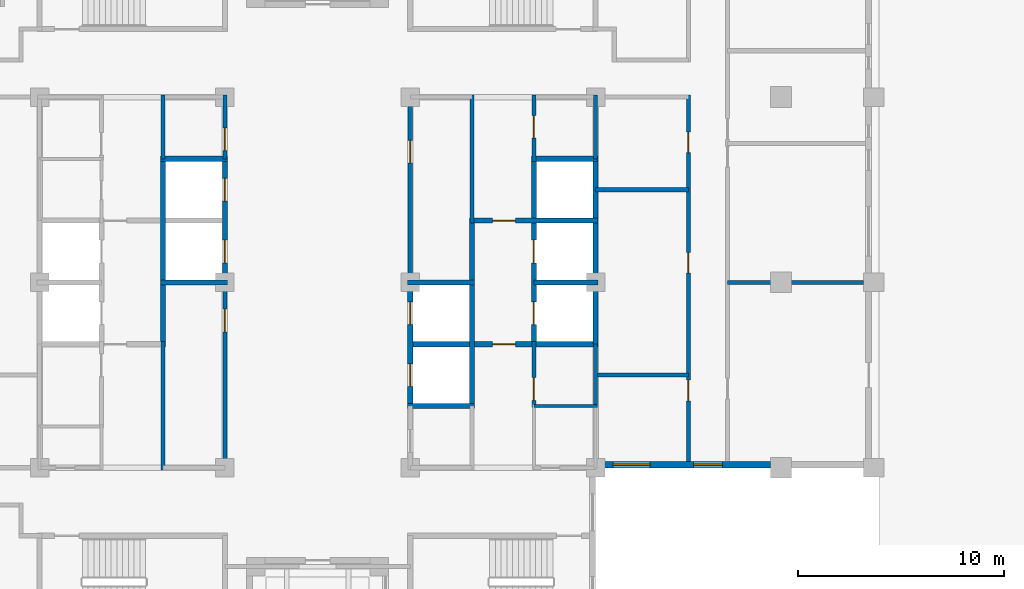
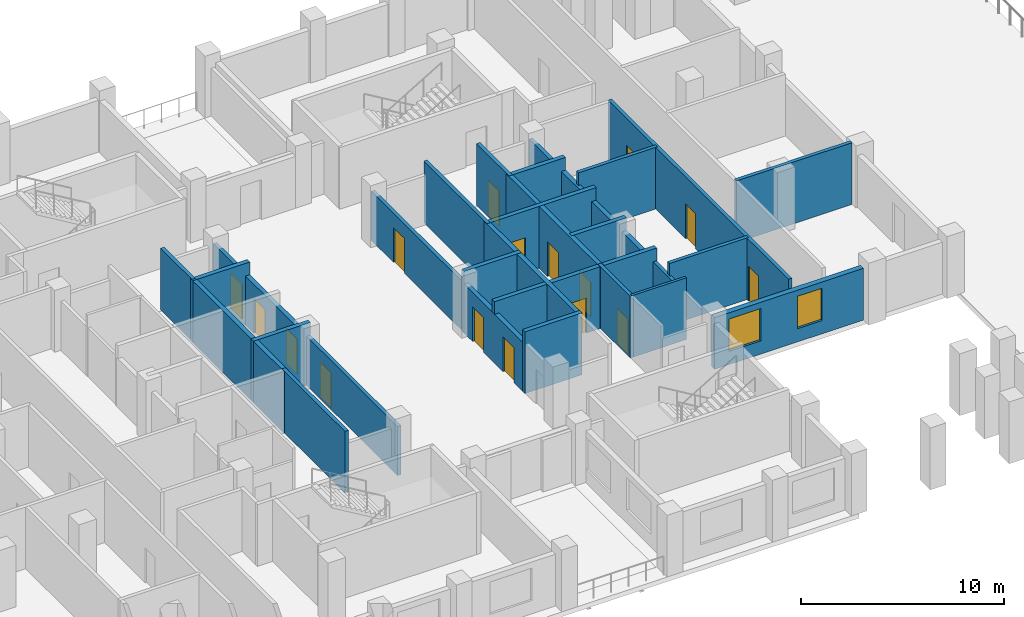
# One storey, part 5 of 12: 30 walls, 16 doors, 2 windows, 18 openings.
"""IFC4 building model written with IfcOpenShell, lengths in metres."""

from ifc_helpers import new_model, si_unit, direction, frame, frame_2d, origin, place, context, subcontext, project, spatial, rectangle, extrude, material, layer, layer_set, type_object, element, fill, save


model = new_model("IFC4")

# Units and contexts
model_context = context("Model", 3, precision=1e-05, world=origin(), true_north=direction((0.0, 1.0)))
body_context = subcontext(model_context, "Body", "Model", "MODEL_VIEW")
ifc_project = project(units=[si_unit("LENGTHUNIT", "METRE"), si_unit("AREAUNIT", "SQUARE_METRE"), si_unit("VOLUMEUNIT", "CUBIC_METRE"), si_unit("PLANEANGLEUNIT", "RADIAN"), si_unit("MASSUNIT", "GRAM", prefix="KILO")], contexts=[model_context])

# Site, building, storey
site_placement = place(None, origin())
site = spatial("IfcSite", under=ifc_project, at=site_placement, CompositionType="ELEMENT")
building_placement = place(site_placement, origin())
building = spatial("IfcBuilding", under=site, at=building_placement, Name="Corbelhall Arena Tower", CompositionType="ELEMENT")
storey_placement = place(building_placement, frame((0.0, 0.0, 184.0)))
storey = spatial("IfcBuildingStorey", under=building, at=storey_placement, Name="L37", CompositionType="ELEMENT", Elevation=184.0)

# Wall, openings, windows
ifc_material_1 = material(Name="Precast concrete C40/50 with granite facing", Category="masonry")
ifc_layer_1 = layer(ifc_material_1, 0.300048828125)
ifc_layer_set_1 = layer_set([ifc_layer_1], Name="EV-IW1 Infill panel 300")
wall_type_1 = type_object("IfcWallType", Name="EV-IW1 Infill panel 300", PredefinedType="SOLIDWALL", material=ifc_layer_set_1)
wall_1_placement = place(storey_placement, frame((13.52490234375, -8.85009765625, 0.0), z_axis=(0.0, 0.0, 1.0), x_axis=(1.0, 0.0, 0.0)))
wall_1 = element("IfcWall", 1, at=wall_1_placement, inside=storey, type_object=wall_type_1, Name="Infill panel IW1", PredefinedType="SOLIDWALL", context=body_context, shape_type="SweptSolid", body=[
    extrude(rectangle(XDim=8.47509765625, YDim=0.300048828125, at=frame_2d((4.237548828125, 0.0))), origin(), (0.0, 0.0, 1.0), 3.1201171875),
])
opening_1_placement = place(wall_1_placement, frame((0.824951171875, 0.0, 0.800048828125)))
opening_1 = element("IfcOpeningElement", 2, at=opening_1_placement, cuts=wall_1, Name="Opening WN8", PredefinedType="OPENING", context=body_context, shape_type="SweptSolid", body=[
    extrude(rectangle(XDim=1.800048828125, YDim=1.949951171875, at=frame_2d((0.89990234375, 0.97509765625))), frame((0.0, 0.14990234375, 0.0), z_axis=(0.0, -1.0, 0.0), x_axis=(1.0, 0.0, 0.0)), (0.0, 0.0, 1.0), 0.300048828125),
])
opening_2_placement = place(wall_1_placement, frame((4.72509765625, 0.0, 0.800048828125)))
opening_2 = element("IfcOpeningElement", 3, at=opening_2_placement, cuts=wall_1, Name="Opening WN7", PredefinedType="OPENING", context=body_context, shape_type="SweptSolid", body=[
    extrude(rectangle(XDim=1.39990234375, YDim=1.949951171875, at=frame_2d((0.699951171875, 0.97509765625))), frame((0.0, 0.14990234375, 0.0), z_axis=(0.0, -1.0, 0.0), x_axis=(1.0, 0.0, 0.0)), (0.0, 0.0, 1.0), 0.300048828125),
])
ifc_material_2 = material(Name="Aluminium black anodised", Category="aluminium")
window_type_1 = type_object("IfcWindowType", Name="EV-WN7 Office window 1400", PartitioningType="SINGLE_PANEL", PredefinedType="WINDOW", material=ifc_material_2)
window_1_placement = place(opening_2_placement, origin())
window_1 = element("IfcWindow", 4, at=window_1_placement, inside=storey, type_object=window_type_1, Name="Window WN7", OverallHeight=1.949951171875, OverallWidth=1.39990234375, PartitioningType="SINGLE_PANEL", PredefinedType="WINDOW", context=body_context, shape_type="SweptSolid", body=[
    extrude(rectangle(XDim=1.39990234375, YDim=1.949951171875, at=frame_2d((0.699951171875, 0.97509765625))), frame((0.0, 0.030029296875, 0.0), z_axis=(0.0, -1.0, 0.0), x_axis=(1.0, 0.0, 0.0)), (0.0, 0.0, 1.0), 0.06005859375),
])
fill(opening_2, window_1)
window_type_2 = type_object("IfcWindowType", Name="EV-WN8 Office window 1800", PartitioningType="SINGLE_PANEL", PredefinedType="WINDOW", material=ifc_material_2)
window_2_placement = place(opening_1_placement, origin())
window_2 = element("IfcWindow", 5, at=window_2_placement, inside=storey, type_object=window_type_2, Name="Window WN8", OverallHeight=1.949951171875, OverallWidth=1.800048828125, PartitioningType="SINGLE_PANEL", PredefinedType="WINDOW", context=body_context, shape_type="SweptSolid", body=[
    extrude(rectangle(XDim=1.800048828125, YDim=1.949951171875, at=frame_2d((0.89990234375, 0.97509765625))), frame((0.0, 0.030029296875, 0.0), z_axis=(0.0, -1.0, 0.0), x_axis=(1.0, 0.0, 0.0)), (0.0, 0.0, 1.0), 0.06005859375),
])
fill(opening_1, window_2)

# Walls
ifc_material_3 = material(Name="Gypsum board on steel stud, acoustic", Category="steel")
ifc_layer_2 = layer(ifc_material_3, 0.199951171875)
ifc_layer_set_2 = layer_set([ifc_layer_2], Name="IN-W-DM200")
wall_type_2 = type_object("IfcWallType", Name="IN-W-DM200", PredefinedType="PARTITIONING", material=ifc_layer_set_2)
for number, where, z_axis, x_axis, name in (
    (6, (13.5, -4.5, 0.0), (0.0, 0.0, 1.0), (1.0, 0.0, 0.0), "Partition 039"),
    (7, (13.5, 4.5, 0.0), (0.0, 0.0, 1.0), (1.0, 0.0, 0.0), "Partition 040"),
):
    element("IfcWall", number, at=place(storey_placement, frame(where, z_axis=z_axis, x_axis=x_axis)), inside=storey, type_object=wall_type_2, Name=name, PredefinedType="PARTITIONING", context=body_context, shape_type="SweptSolid", body=[
        extrude(rectangle(XDim=4.5, YDim=0.199951171875, at=frame_2d((2.25, 0.0))), origin(), (0.0, 0.0, 1.0), 3.719970703125),
    ])

# Wall, openings, doors
wall_2_placement = place(storey_placement, frame((18.0, -8.699951171875, 0.0), z_axis=(0.0, 0.0, 1.0), x_axis=(0.0, 1.0, 0.0)))
wall_2 = element("IfcWall", 8, at=wall_2_placement, inside=storey, type_object=wall_type_2, Name="Partition 044", PredefinedType="PARTITIONING", context=body_context, shape_type="SweptSolid", body=[
    extrude(rectangle(XDim=17.800048828125, YDim=0.199951171875, at=frame_2d((8.89990234375, 0.0))), origin(), (0.0, 0.0, 1.0), 3.719970703125),
])
opening_3_placement = place(wall_2_placement, frame((2.949951171875, 0.0, 0.0)))
opening_3 = element("IfcOpeningElement", 9, at=opening_3_placement, cuts=wall_2, Name="Opening 11024", PredefinedType="OPENING", context=body_context, shape_type="SweptSolid", body=[
    extrude(rectangle(XDim=1.0, YDim=2.10009765625, at=frame_2d((0.5, 1.050048828125))), frame((0.0, 0.10009765625, 0.0), z_axis=(0.0, -1.0, 0.0), x_axis=(1.0, 0.0, 0.0)), (0.0, 0.0, 1.0), 0.199951171875),
])
opening_4_placement = place(wall_2_placement, frame((9.14990234375, 0.0, 0.0)))
opening_4 = element("IfcOpeningElement", 10, at=opening_4_placement, cuts=wall_2, Name="Opening 11025", PredefinedType="OPENING", context=body_context, shape_type="SweptSolid", body=[
    extrude(rectangle(XDim=1.0, YDim=2.10009765625, at=frame_2d((0.5, 1.050048828125))), frame((0.0, 0.10009765625, 0.0), z_axis=(0.0, -1.0, 0.0), x_axis=(1.0, 0.0, 0.0)), (0.0, 0.0, 1.0), 0.199951171875),
])
opening_5_placement = place(wall_2_placement, frame((15.0, 0.0, 0.0)))
opening_5 = element("IfcOpeningElement", 11, at=opening_5_placement, cuts=wall_2, Name="Opening 11026", PredefinedType="OPENING", context=body_context, shape_type="SweptSolid", body=[
    extrude(rectangle(XDim=1.0, YDim=2.10009765625, at=frame_2d((0.5, 1.050048828125))), frame((0.0, 0.10009765625, 0.0), z_axis=(0.0, -1.0, 0.0), x_axis=(1.0, 0.0, 0.0)), (0.0, 0.0, 1.0), 0.199951171875),
])
ifc_material_4 = material(Name="Steel door set", Category="steel")
door_type_1 = type_object("IfcDoorType", Name="IN-D-SW100", OperationType="NOTDEFINED", PredefinedType="DOOR", material=ifc_material_4)
door_1_placement = place(opening_3_placement, origin())
door_1 = element("IfcDoor", 12, at=door_1_placement, inside=storey, type_object=door_type_1, Name="Door 024", OperationType="SINGLE_SWING_LEFT", OverallHeight=2.10009765625, OverallWidth=1.0, PredefinedType="DOOR", context=body_context, shape_type="SweptSolid", body=[
    extrude(rectangle(XDim=1.0, YDim=2.10009765625, at=frame_2d((0.5, 1.050048828125))), frame((0.0, 0.02490234375, 0.0), z_axis=(0.0, -1.0, 0.0), x_axis=(1.0, 0.0, 0.0)), (0.0, 0.0, 1.0), 0.050048828125),
])
fill(opening_3, door_1)
door_2_placement = place(opening_4_placement, origin())
door_2 = element("IfcDoor", 13, at=door_2_placement, inside=storey, type_object=door_type_1, Name="Door 025", OperationType="SINGLE_SWING_RIGHT", OverallHeight=2.10009765625, OverallWidth=1.0, PredefinedType="DOOR", context=body_context, shape_type="SweptSolid", body=[
    extrude(rectangle(XDim=1.0, YDim=2.10009765625, at=frame_2d((0.5, 1.050048828125))), frame((0.0, 0.02490234375, 0.0), z_axis=(0.0, -1.0, 0.0), x_axis=(1.0, 0.0, 0.0)), (0.0, 0.0, 1.0), 0.050048828125),
])
fill(opening_4, door_2)
door_3_placement = place(opening_5_placement, origin())
door_3 = element("IfcDoor", 14, at=door_3_placement, inside=storey, type_object=door_type_1, Name="Door 026", OperationType="SINGLE_SWING_LEFT", OverallHeight=2.10009765625, OverallWidth=1.0, PredefinedType="DOOR", context=body_context, shape_type="SweptSolid", body=[
    extrude(rectangle(XDim=1.0, YDim=2.10009765625, at=frame_2d((0.5, 1.050048828125))), frame((0.0, 0.02490234375, 0.0), z_axis=(0.0, -1.0, 0.0), x_axis=(1.0, 0.0, 0.0)), (0.0, 0.0, 1.0), 0.050048828125),
])
fill(opening_5, door_3)

# Walls
wall_3_placement = place(storey_placement, frame((26.5, 0.0, 0.0), z_axis=(0.0, 0.0, 1.0), x_axis=(-1.0, 0.0, 0.0)))
element("IfcWall", 15, at=wall_3_placement, inside=storey, type_object=wall_type_2, Name="Partition 049", PredefinedType="PARTITIONING", context=body_context, shape_type="SweptSolid", body=[
    extrude(rectangle(XDim=6.60009765625, YDim=0.199951171875, at=frame_2d((3.300048828125, 0.0))), origin(), (0.0, 0.0, 1.0), 3.719970703125),
])
ifc_material_5 = material(Name="Concrete block wall", Category="concrete")
ifc_layer_3 = layer(ifc_material_5, 0.199951171875)
ifc_layer_set_3 = layer_set([ifc_layer_3], Name="IN-W-RS200")
wall_type_3 = type_object("IfcWallType", Name="IN-W-RS200", PredefinedType="SOLIDWALL", material=ifc_layer_set_3)
wall_4_placement = place(storey_placement, frame((-7.5, -9.10009765625, 0.0), z_axis=(0.0, 0.0, 1.0), x_axis=(0.0, 1.0, 0.0)))
element("IfcWall", 16, at=wall_4_placement, inside=storey, type_object=wall_type_3, Name="Partition 055", PredefinedType="SOLIDWALL", context=body_context, shape_type="SweptSolid", body=[
    extrude(rectangle(XDim=6.22509765625, YDim=0.199951171875, at=frame_2d((3.112548828125, 0.0))), origin(), (0.0, 0.0, 1.0), 3.719970703125),
])
wall_5_placement = place(storey_placement, frame((-7.5, 6.0, 0.0), z_axis=(0.0, 0.0, 1.0), x_axis=(0.0, 1.0, 0.0)))
element("IfcWall", 17, at=wall_5_placement, inside=storey, type_object=wall_type_3, Name="Partition 056", PredefinedType="SOLIDWALL", context=body_context, shape_type="SweptSolid", body=[
    extrude(rectangle(XDim=3.10009765625, YDim=0.199951171875, at=frame_2d((1.550048828125, 0.0))), origin(), (0.0, 0.0, 1.0), 3.719970703125),
])
wall_6_placement = place(storey_placement, frame((7.5, 9.10009765625, 0.0), z_axis=(0.0, 0.0, 1.0), x_axis=(0.0, -1.0, 0.0)))
element("IfcWall", 18, at=wall_6_placement, inside=storey, type_object=wall_type_3, Name="Partition 066", PredefinedType="SOLIDWALL", context=body_context, shape_type="SweptSolid", body=[
    extrude(rectangle(XDim=6.22509765625, YDim=0.199951171875, at=frame_2d((3.112548828125, 0.0))), origin(), (0.0, 0.0, 1.0), 3.719970703125),
])

# Wall, opening, door
wall_7_placement = place(storey_placement, frame((10.5, -2.875, 0.0), z_axis=(0.0, 0.0, 1.0), x_axis=(0.0, -1.0, 0.0)))
wall_7 = element("IfcWall", 19, at=wall_7_placement, inside=storey, type_object=wall_type_3, Name="Partition 067", PredefinedType="SOLIDWALL", context=body_context, shape_type="SweptSolid", body=[
    extrude(rectangle(XDim=3.199951171875, YDim=0.199951171875, at=frame_2d((1.60009765625, 0.0))), origin(), (0.0, 0.0, 1.0), 3.719970703125),
])
opening_6_placement = place(wall_7_placement, frame((1.75, 0.0, 0.0)))
opening_6 = element("IfcOpeningElement", 20, at=opening_6_placement, cuts=wall_7, Name="Opening 11014", PredefinedType="OPENING", context=body_context, shape_type="SweptSolid", body=[
    extrude(rectangle(XDim=1.10009765625, YDim=2.10009765625, at=frame_2d((0.550048828125, 1.050048828125))), frame((0.0, 0.10009765625, 0.0), z_axis=(0.0, -1.0, 0.0), x_axis=(1.0, 0.0, 0.0)), (0.0, 0.0, 1.0), 0.199951171875),
])
door_type_2 = type_object("IfcDoorType", Name="IN-D-FD110", OperationType="NOTDEFINED", PredefinedType="DOOR", material=ifc_material_4)
door_4_placement = place(opening_6_placement, origin())
door_4 = element("IfcDoor", 21, at=door_4_placement, inside=storey, type_object=door_type_2, Name="Door 014", OperationType="SINGLE_SWING_LEFT", OverallHeight=2.10009765625, OverallWidth=1.10009765625, PredefinedType="DOOR", context=body_context, shape_type="SweptSolid", body=[
    extrude(rectangle(XDim=1.10009765625, YDim=2.10009765625, at=frame_2d((0.550048828125, 1.050048828125))), frame((0.0, 0.02490234375, 0.0), z_axis=(0.0, -1.0, 0.0), x_axis=(1.0, 0.0, 0.0)), (0.0, 0.0, 1.0), 0.050048828125),
])
fill(opening_6, door_4)

wall_8_placement = place(storey_placement, frame((10.5, 9.10009765625, 0.0), z_axis=(0.0, 0.0, 1.0), x_axis=(0.0, -1.0, 0.0)))
wall_8 = element("IfcWall", 22, at=wall_8_placement, inside=storey, type_object=wall_type_3, Name="Partition 069", PredefinedType="SOLIDWALL", context=body_context, shape_type="SweptSolid", body=[
    extrude(rectangle(XDim=3.22509765625, YDim=0.199951171875, at=frame_2d((1.612548828125, 0.0))), origin(), (0.0, 0.0, 1.0), 3.719970703125),
])
opening_7_placement = place(wall_8_placement, frame((1.0, 0.0, 0.0)))
opening_7 = element("IfcOpeningElement", 23, at=opening_7_placement, cuts=wall_8, Name="Opening 11015", PredefinedType="OPENING", context=body_context, shape_type="SweptSolid", body=[
    extrude(rectangle(XDim=1.10009765625, YDim=2.10009765625, at=frame_2d((0.550048828125, 1.050048828125))), frame((0.0, 0.10009765625, 0.0), z_axis=(0.0, -1.0, 0.0), x_axis=(1.0, 0.0, 0.0)), (0.0, 0.0, 1.0), 0.199951171875),
])
door_5_placement = place(opening_7_placement, origin())
door_5 = element("IfcDoor", 24, at=door_5_placement, inside=storey, type_object=door_type_2, Name="Door 015", OperationType="SINGLE_SWING_RIGHT", OverallHeight=2.10009765625, OverallWidth=1.10009765625, PredefinedType="DOOR", context=body_context, shape_type="SweptSolid", body=[
    extrude(rectangle(XDim=1.10009765625, YDim=2.10009765625, at=frame_2d((0.550048828125, 1.050048828125))), frame((0.0, 0.02490234375, 0.0), z_axis=(0.0, -1.0, 0.0), x_axis=(1.0, 0.0, 0.0)), (0.0, 0.0, 1.0), 0.050048828125),
])
fill(opening_7, door_5)

ifc_layer_4 = layer(ifc_material_5, 0.199951171875)
ifc_layer_set_4 = layer_set([ifc_layer_4], Name="IN-W-RS200 under beam 762 mm")
wall_type_4 = type_object("IfcWallType", Name="IN-W-RS200 under beam 762 mm", PredefinedType="SOLIDWALL", material=ifc_layer_set_4)
wall_9_placement = place(storey_placement, frame((-4.5, 0.0, 0.0), z_axis=(0.0, 0.0, 1.0), x_axis=(0.0, -1.0, 0.0)))
wall_9 = element("IfcWall", 25, at=wall_9_placement, inside=storey, type_object=wall_type_4, Name="Partition 059", PredefinedType="SOLIDWALL", context=body_context, shape_type="SweptSolid", body=[
    extrude(rectangle(XDim=9.10009765625, YDim=0.199951171875, at=frame_2d((4.550048828125, 0.0))), origin(), (0.0, 0.0, 1.0), 2.9580078125),
])
opening_8_placement = place(wall_9_placement, frame((1.300048828125, 0.0, 0.0)))
opening_8 = element("IfcOpeningElement", 26, at=opening_8_placement, cuts=wall_9, Name="Opening 11001", PredefinedType="OPENING", context=body_context, shape_type="SweptSolid", body=[
    extrude(rectangle(XDim=1.10009765625, YDim=2.10009765625, at=frame_2d((0.550048828125, 1.050048828125))), frame((0.0, 0.10009765625, 0.0), z_axis=(0.0, -1.0, 0.0), x_axis=(1.0, 0.0, 0.0)), (0.0, 0.0, 1.0), 0.199951171875),
])
door_6_placement = place(opening_8_placement, origin())
door_6 = element("IfcDoor", 27, at=door_6_placement, inside=storey, type_object=door_type_2, Name="Door 001", OperationType="SINGLE_SWING_RIGHT", OverallHeight=2.10009765625, OverallWidth=1.10009765625, PredefinedType="DOOR", context=body_context, shape_type="SweptSolid", body=[
    extrude(rectangle(XDim=1.10009765625, YDim=2.10009765625, at=frame_2d((0.550048828125, 1.050048828125))), frame((0.0, 0.02490234375, 0.0), z_axis=(0.0, -1.0, 0.0), x_axis=(1.0, 0.0, 0.0)), (0.0, 0.0, 1.0), 0.050048828125),
])
fill(opening_8, door_6)

wall_10_placement = place(storey_placement, frame((-4.5, 9.10009765625, 0.0), z_axis=(0.0, 0.0, 1.0), x_axis=(0.0, -1.0, 0.0)))
wall_10 = element("IfcWall", 28, at=wall_10_placement, inside=storey, type_object=wall_type_4, Name="Partition 060", PredefinedType="SOLIDWALL", context=body_context, shape_type="SweptSolid", body=[
    extrude(rectangle(XDim=3.10009765625, YDim=0.199951171875, at=frame_2d((1.550048828125, 0.0))), origin(), (0.0, 0.0, 1.0), 2.9580078125),
])
opening_9_placement = place(wall_10_placement, frame((1.60009765625, 0.0, 0.0)))
opening_9 = element("IfcOpeningElement", 29, at=opening_9_placement, cuts=wall_10, Name="Opening 11002", PredefinedType="OPENING", context=body_context, shape_type="SweptSolid", body=[
    extrude(rectangle(XDim=1.10009765625, YDim=2.10009765625, at=frame_2d((0.550048828125, 1.050048828125))), frame((0.0, 0.10009765625, 0.0), z_axis=(0.0, -1.0, 0.0), x_axis=(1.0, 0.0, 0.0)), (0.0, 0.0, 1.0), 0.199951171875),
])
door_7_placement = place(opening_9_placement, origin())
door_7 = element("IfcDoor", 30, at=door_7_placement, inside=storey, type_object=door_type_2, Name="Door 002", OperationType="SINGLE_SWING_LEFT", OverallHeight=2.10009765625, OverallWidth=1.10009765625, PredefinedType="DOOR", context=body_context, shape_type="SweptSolid", body=[
    extrude(rectangle(XDim=1.10009765625, YDim=2.10009765625, at=frame_2d((0.550048828125, 1.050048828125))), frame((0.0, 0.02490234375, 0.0), z_axis=(0.0, -1.0, 0.0), x_axis=(1.0, 0.0, 0.0)), (0.0, 0.0, 1.0), 0.050048828125),
])
fill(opening_9, door_7)

wall_11_placement = place(storey_placement, frame((4.5, 0.0, 0.0), z_axis=(0.0, 0.0, 1.0), x_axis=(0.0, 1.0, 0.0)))
wall_11 = element("IfcWall", 31, at=wall_11_placement, inside=storey, type_object=wall_type_4, Name="Partition 062", PredefinedType="SOLIDWALL", context=body_context, shape_type="SweptSolid", body=[
    extrude(rectangle(XDim=9.10009765625, YDim=0.199951171875, at=frame_2d((4.550048828125, 0.0))), origin(), (0.0, 0.0, 1.0), 2.9580078125),
])
opening_10_placement = place(wall_11_placement, frame((5.800048828125, 0.0, 0.0)))
opening_10 = element("IfcOpeningElement", 32, at=opening_10_placement, cuts=wall_11, Name="Opening 11010", PredefinedType="OPENING", context=body_context, shape_type="SweptSolid", body=[
    extrude(rectangle(XDim=1.10009765625, YDim=2.10009765625, at=frame_2d((0.550048828125, 1.050048828125))), frame((0.0, 0.10009765625, 0.0), z_axis=(0.0, -1.0, 0.0), x_axis=(1.0, 0.0, 0.0)), (0.0, 0.0, 1.0), 0.199951171875),
])
door_8_placement = place(opening_10_placement, origin())
door_8 = element("IfcDoor", 33, at=door_8_placement, inside=storey, type_object=door_type_2, Name="Door 010", OperationType="SINGLE_SWING_LEFT", OverallHeight=2.10009765625, OverallWidth=1.10009765625, PredefinedType="DOOR", context=body_context, shape_type="SweptSolid", body=[
    extrude(rectangle(XDim=1.10009765625, YDim=2.10009765625, at=frame_2d((0.550048828125, 1.050048828125))), frame((0.0, 0.02490234375, 0.0), z_axis=(0.0, -1.0, 0.0), x_axis=(1.0, 0.0, 0.0)), (0.0, 0.0, 1.0), 0.050048828125),
])
fill(opening_10, door_8)

# Walls
wall_12_placement = place(storey_placement, frame((13.5, -3.0, 0.0), z_axis=(0.0, 0.0, 1.0), x_axis=(0.0, -1.0, 0.0)))
element("IfcWall", 34, at=wall_12_placement, inside=storey, type_object=wall_type_4, Name="Partition 070", PredefinedType="SOLIDWALL", context=body_context, shape_type="SweptSolid", body=[
    extrude(rectangle(XDim=3.0, YDim=0.199951171875, at=frame_2d((1.5, 0.0))), origin(), (0.0, 0.0, 1.0), 2.9580078125),
])
wall_13_placement = place(storey_placement, frame((13.5, 9.10009765625, 0.0), z_axis=(0.0, 0.0, 1.0), x_axis=(0.0, -1.0, 0.0)))
element("IfcWall", 35, at=wall_13_placement, inside=storey, type_object=wall_type_4, Name="Partition 071", PredefinedType="SOLIDWALL", context=body_context, shape_type="SweptSolid", body=[
    extrude(rectangle(XDim=3.10009765625, YDim=0.199951171875, at=frame_2d((1.550048828125, 0.0))), origin(), (0.0, 0.0, 1.0), 2.9580078125),
])
ifc_material_6 = material(Name="Concrete C40/50", Category="concrete")
ifc_layer_5 = layer(ifc_material_6, 0.25)
ifc_layer_set_5 = layer_set([ifc_layer_5], Name="IN-W-SH250")
wall_type_5 = type_object("IfcWallType", Name="IN-W-SH250", PredefinedType="SOLIDWALL", material=ifc_layer_set_5)
for number, where, z_axis, x_axis, name in (
    (36, (-7.625, 0.0, 0.0), (0.0, 0.0, 1.0), (1.0, 0.0, 0.0), "Shaft wall 077"),
    (37, (-7.625, 6.0, 0.0), (0.0, 0.0, 1.0), (1.0, 0.0, 0.0), "Shaft wall 078"),
):
    element("IfcWall", number, at=place(storey_placement, frame(where, z_axis=z_axis, x_axis=x_axis)), inside=storey, type_object=wall_type_5, Name=name, PredefinedType="SOLIDWALL", context=body_context, shape_type="SweptSolid", body=[
        extrude(rectangle(XDim=3.25, YDim=0.25, at=frame_2d((1.625, 0.0))), origin(), (0.0, 0.0, 1.0), 3.719970703125),
    ])
wall_14_placement = place(storey_placement, frame((-7.5, -3.125, 0.0), z_axis=(0.0, 0.0, 1.0), x_axis=(0.0, 1.0, 0.0)))
element("IfcWall", 38, at=wall_14_placement, inside=storey, type_object=wall_type_5, Name="Shaft wall 079", PredefinedType="SOLIDWALL", context=body_context, shape_type="SweptSolid", body=[
    extrude(rectangle(XDim=9.125, YDim=0.25, at=frame_2d((4.5625, 0.0))), origin(), (0.0, 0.0, 1.0), 3.719970703125),
])
wall_15_placement = place(storey_placement, frame((4.375, -6.0, 0.0), z_axis=(0.0, 0.0, 1.0), x_axis=(1.0, 0.0, 0.0)))
element("IfcWall", 39, at=wall_15_placement, inside=storey, type_object=wall_type_5, Name="Shaft wall 081", PredefinedType="SOLIDWALL", context=body_context, shape_type="SweptSolid", body=[
    extrude(rectangle(XDim=3.25, YDim=0.25, at=frame_2d((1.625, 0.0))), origin(), (0.0, 0.0, 1.0), 3.719970703125),
])

# Wall, opening, door
wall_16_placement = place(storey_placement, frame((4.375, -3.0, 0.0), z_axis=(0.0, 0.0, 1.0), x_axis=(1.0, 0.0, 0.0)))
wall_16 = element("IfcWall", 40, at=wall_16_placement, inside=storey, type_object=wall_type_5, Name="Shaft wall 082", PredefinedType="SOLIDWALL", context=body_context, shape_type="SweptSolid", body=[
    extrude(rectangle(XDim=9.25, YDim=0.25, at=frame_2d((4.625, 0.0))), origin(), (0.0, 0.0, 1.0), 3.719970703125),
])
opening_11_placement = place(wall_16_placement, frame((4.125, 0.0, 0.0)))
opening_11 = element("IfcOpeningElement", 41, at=opening_11_placement, cuts=wall_16, Name="Opening 11011", PredefinedType="OPENING", context=body_context, shape_type="SweptSolid", body=[
    extrude(rectangle(XDim=1.10009765625, YDim=2.10009765625, at=frame_2d((0.550048828125, 1.050048828125))), frame((0.0, 0.125, 0.0), z_axis=(0.0, -1.0, 0.0), x_axis=(1.0, 0.0, 0.0)), (0.0, 0.0, 1.0), 0.25),
])
door_9_placement = place(opening_11_placement, origin())
door_9 = element("IfcDoor", 42, at=door_9_placement, inside=storey, type_object=door_type_2, Name="Door 011", OperationType="SINGLE_SWING_RIGHT", OverallHeight=2.10009765625, OverallWidth=1.10009765625, PredefinedType="DOOR", context=body_context, shape_type="SweptSolid", body=[
    extrude(rectangle(XDim=1.10009765625, YDim=2.10009765625, at=frame_2d((0.550048828125, 1.050048828125))), frame((0.0, 0.02490234375, 0.0), z_axis=(0.0, -1.0, 0.0), x_axis=(1.0, 0.0, 0.0)), (0.0, 0.0, 1.0), 0.050048828125),
])
fill(opening_11, door_9)

# Walls
wall_17_placement = place(storey_placement, frame((4.375, 0.0, 0.0), z_axis=(0.0, 0.0, 1.0), x_axis=(1.0, 0.0, 0.0)))
element("IfcWall", 43, at=wall_17_placement, inside=storey, type_object=wall_type_5, Name="Shaft wall 083", PredefinedType="SOLIDWALL", context=body_context, shape_type="SweptSolid", body=[
    extrude(rectangle(XDim=3.25, YDim=0.25, at=frame_2d((1.625, 0.0))), origin(), (0.0, 0.0, 1.0), 3.719970703125),
])
wall_18_placement = place(storey_placement, frame((7.5, 3.125, 0.0), z_axis=(0.0, 0.0, 1.0), x_axis=(0.0, -1.0, 0.0)))
element("IfcWall", 44, at=wall_18_placement, inside=storey, type_object=wall_type_5, Name="Shaft wall 085", PredefinedType="SOLIDWALL", context=body_context, shape_type="SweptSolid", body=[
    extrude(rectangle(XDim=9.125, YDim=0.25, at=frame_2d((4.5625, 0.0))), origin(), (0.0, 0.0, 1.0), 3.719970703125),
])

# Wall, opening, door
wall_19_placement = place(storey_placement, frame((7.5, 3.0, 0.0), z_axis=(0.0, 0.0, 1.0), x_axis=(1.0, 0.0, 0.0)))
wall_19 = element("IfcWall", 45, at=wall_19_placement, inside=storey, type_object=wall_type_5, Name="Shaft wall 086", PredefinedType="SOLIDWALL", context=body_context, shape_type="SweptSolid", body=[
    extrude(rectangle(XDim=6.125, YDim=0.25, at=frame_2d((3.0625, 0.0))), origin(), (0.0, 0.0, 1.0), 3.719970703125),
])
opening_12_placement = place(wall_19_placement, frame((1.0, 0.0, 0.0)))
opening_12 = element("IfcOpeningElement", 46, at=opening_12_placement, cuts=wall_19, Name="Opening 11012", PredefinedType="OPENING", context=body_context, shape_type="SweptSolid", body=[
    extrude(rectangle(XDim=1.10009765625, YDim=2.10009765625, at=frame_2d((0.550048828125, 1.050048828125))), frame((0.0, 0.125, 0.0), z_axis=(0.0, -1.0, 0.0), x_axis=(1.0, 0.0, 0.0)), (0.0, 0.0, 1.0), 0.25),
])
door_10_placement = place(opening_12_placement, origin())
door_10 = element("IfcDoor", 47, at=door_10_placement, inside=storey, type_object=door_type_2, Name="Door 012", OperationType="SINGLE_SWING_LEFT", OverallHeight=2.10009765625, OverallWidth=1.10009765625, PredefinedType="DOOR", context=body_context, shape_type="SweptSolid", body=[
    extrude(rectangle(XDim=1.10009765625, YDim=2.10009765625, at=frame_2d((0.550048828125, 1.050048828125))), frame((0.0, 0.02490234375, 0.0), z_axis=(0.0, -1.0, 0.0), x_axis=(1.0, 0.0, 0.0)), (0.0, 0.0, 1.0), 0.050048828125),
])
fill(opening_12, door_10)

# Wall
wall_20_placement = place(storey_placement, frame((10.5, 0.0, 0.0), z_axis=(0.0, 0.0, 1.0), x_axis=(1.0, 0.0, 0.0)))
element("IfcWall", 48, at=wall_20_placement, inside=storey, type_object=wall_type_5, Name="Shaft wall 087", PredefinedType="SOLIDWALL", context=body_context, shape_type="SweptSolid", body=[
    extrude(rectangle(XDim=3.125, YDim=0.25, at=frame_2d((1.5625, 0.0))), origin(), (0.0, 0.0, 1.0), 3.719970703125),
])

# Wall, openings, doors
wall_21_placement = place(storey_placement, frame((10.5, 6.125, 0.0), z_axis=(0.0, 0.0, 1.0), x_axis=(0.0, -1.0, 0.0)))
wall_21 = element("IfcWall", 49, at=wall_21_placement, inside=storey, type_object=wall_type_5, Name="Shaft wall 088", PredefinedType="SOLIDWALL", context=body_context, shape_type="SweptSolid", body=[
    extrude(rectangle(XDim=9.25, YDim=0.25, at=frame_2d((4.625, 0.0))), origin(), (0.0, 0.0, 1.0), 3.719970703125),
])
opening_13_placement = place(wall_21_placement, frame((7.074951171875, 0.0, 0.0)))
opening_13 = element("IfcOpeningElement", 50, at=opening_13_placement, cuts=wall_21, Name="Opening LD", PredefinedType="OPENING", context=body_context, shape_type="SweptSolid", body=[
    extrude(rectangle(XDim=1.10009765625, YDim=2.10009765625, at=frame_2d((0.550048828125, 1.050048828125))), frame((0.0, 0.125, 0.0), z_axis=(0.0, -1.0, 0.0), x_axis=(1.0, 0.0, 0.0)), (0.0, 0.0, 1.0), 0.25),
])
opening_14_placement = place(wall_21_placement, frame((4.074951171875, 0.0, 0.0)))
opening_14 = element("IfcOpeningElement", 51, at=opening_14_placement, cuts=wall_21, Name="Opening LD", PredefinedType="OPENING", context=body_context, shape_type="SweptSolid", body=[
    extrude(rectangle(XDim=1.10009765625, YDim=2.10009765625, at=frame_2d((0.550048828125, 1.050048828125))), frame((0.0, 0.125, 0.0), z_axis=(0.0, -1.0, 0.0), x_axis=(1.0, 0.0, 0.0)), (0.0, 0.0, 1.0), 0.25),
])
door_type_3 = type_object("IfcDoorType", Name="IN-D-LD110", OperationType="NOTDEFINED", PredefinedType="DOOR", material=ifc_material_4)
door_11_placement = place(opening_13_placement, origin())
door_11 = element("IfcDoor", 52, at=door_11_placement, inside=storey, type_object=door_type_3, Name="Landing door E3", OperationType="SLIDING_TO_LEFT", OverallHeight=2.10009765625, OverallWidth=1.10009765625, PredefinedType="DOOR", context=body_context, shape_type="SweptSolid", body=[
    extrude(rectangle(XDim=1.10009765625, YDim=2.10009765625, at=frame_2d((0.550048828125, 1.050048828125))), frame((0.0, 0.02490234375, 0.0), z_axis=(0.0, -1.0, 0.0), x_axis=(1.0, 0.0, 0.0)), (0.0, 0.0, 1.0), 0.050048828125),
])
fill(opening_13, door_11)
door_12_placement = place(opening_14_placement, origin())
door_12 = element("IfcDoor", 53, at=door_12_placement, inside=storey, type_object=door_type_3, Name="Landing door E4", OperationType="SLIDING_TO_LEFT", OverallHeight=2.10009765625, OverallWidth=1.10009765625, PredefinedType="DOOR", context=body_context, shape_type="SweptSolid", body=[
    extrude(rectangle(XDim=1.10009765625, YDim=2.10009765625, at=frame_2d((0.550048828125, 1.050048828125))), frame((0.0, 0.02490234375, 0.0), z_axis=(0.0, -1.0, 0.0), x_axis=(1.0, 0.0, 0.0)), (0.0, 0.0, 1.0), 0.050048828125),
])
fill(opening_14, door_12)

# Wall
wall_22_placement = place(storey_placement, frame((10.5, 6.0, 0.0), z_axis=(0.0, 0.0, 1.0), x_axis=(1.0, 0.0, 0.0)))
element("IfcWall", 54, at=wall_22_placement, inside=storey, type_object=wall_type_5, Name="Shaft wall 089", PredefinedType="SOLIDWALL", context=body_context, shape_type="SweptSolid", body=[
    extrude(rectangle(XDim=3.125, YDim=0.25, at=frame_2d((1.5625, 0.0))), origin(), (0.0, 0.0, 1.0), 3.719970703125),
])

# Wall, openings, doors
ifc_layer_6 = layer(ifc_material_6, 0.25)
ifc_layer_set_6 = layer_set([ifc_layer_6], Name="IN-W-SH250 under beam 762 mm")
wall_type_6 = type_object("IfcWallType", Name="IN-W-SH250 under beam 762 mm", PredefinedType="SOLIDWALL", material=ifc_layer_set_6)
wall_23_placement = place(storey_placement, frame((-4.5, 6.0, 0.0), z_axis=(0.0, 0.0, 1.0), x_axis=(0.0, -1.0, 0.0)))
wall_23 = element("IfcWall", 55, at=wall_23_placement, inside=storey, type_object=wall_type_6, Name="Shaft wall 080", PredefinedType="SOLIDWALL", context=body_context, shape_type="SweptSolid", body=[
    extrude(rectangle(XDim=6.0, YDim=0.25, at=frame_2d((3.0, 0.0))), origin(), (0.0, 0.0, 1.0), 2.9580078125),
])
opening_15_placement = place(wall_23_placement, frame((3.949951171875, 0.0, 0.0)))
opening_15 = element("IfcOpeningElement", 56, at=opening_15_placement, cuts=wall_23, Name="Opening LD", PredefinedType="OPENING", context=body_context, shape_type="SweptSolid", body=[
    extrude(rectangle(XDim=1.10009765625, YDim=2.10009765625, at=frame_2d((0.550048828125, 1.050048828125))), frame((0.0, 0.125, 0.0), z_axis=(0.0, -1.0, 0.0), x_axis=(1.0, 0.0, 0.0)), (0.0, 0.0, 1.0), 0.25),
])
opening_16_placement = place(wall_23_placement, frame((0.949951171875, 0.0, 0.0)))
opening_16 = element("IfcOpeningElement", 57, at=opening_16_placement, cuts=wall_23, Name="Opening LD", PredefinedType="OPENING", context=body_context, shape_type="SweptSolid", body=[
    extrude(rectangle(XDim=1.10009765625, YDim=2.10009765625, at=frame_2d((0.550048828125, 1.050048828125))), frame((0.0, 0.125, 0.0), z_axis=(0.0, -1.0, 0.0), x_axis=(1.0, 0.0, 0.0)), (0.0, 0.0, 1.0), 0.25),
])
door_13_placement = place(opening_15_placement, origin())
door_13 = element("IfcDoor", 58, at=door_13_placement, inside=storey, type_object=door_type_3, Name="Landing door W4", OperationType="SLIDING_TO_LEFT", OverallHeight=2.10009765625, OverallWidth=1.10009765625, PredefinedType="DOOR", context=body_context, shape_type="SweptSolid", body=[
    extrude(rectangle(XDim=1.10009765625, YDim=2.10009765625, at=frame_2d((0.550048828125, 1.050048828125))), frame((0.0, 0.02490234375, 0.0), z_axis=(0.0, -1.0, 0.0), x_axis=(1.0, 0.0, 0.0)), (0.0, 0.0, 1.0), 0.050048828125),
])
fill(opening_15, door_13)
door_14_placement = place(opening_16_placement, origin())
door_14 = element("IfcDoor", 59, at=door_14_placement, inside=storey, type_object=door_type_3, Name="Landing door W5", OperationType="SLIDING_TO_LEFT", OverallHeight=2.10009765625, OverallWidth=1.10009765625, PredefinedType="DOOR", context=body_context, shape_type="SweptSolid", body=[
    extrude(rectangle(XDim=1.10009765625, YDim=2.10009765625, at=frame_2d((0.550048828125, 1.050048828125))), frame((0.0, 0.02490234375, 0.0), z_axis=(0.0, -1.0, 0.0), x_axis=(1.0, 0.0, 0.0)), (0.0, 0.0, 1.0), 0.050048828125),
])
fill(opening_16, door_14)

wall_24_placement = place(storey_placement, frame((4.5, -6.0, 0.0), z_axis=(0.0, 0.0, 1.0), x_axis=(0.0, 1.0, 0.0)))
wall_24 = element("IfcWall", 60, at=wall_24_placement, inside=storey, type_object=wall_type_6, Name="Shaft wall 084", PredefinedType="SOLIDWALL", context=body_context, shape_type="SweptSolid", body=[
    extrude(rectangle(XDim=6.0, YDim=0.25, at=frame_2d((3.0, 0.0))), origin(), (0.0, 0.0, 1.0), 2.9580078125),
])
opening_17_placement = place(wall_24_placement, frame((0.949951171875, 0.0, 0.0)))
opening_17 = element("IfcOpeningElement", 61, at=opening_17_placement, cuts=wall_24, Name="Opening LD", PredefinedType="OPENING", context=body_context, shape_type="SweptSolid", body=[
    extrude(rectangle(XDim=1.10009765625, YDim=2.10009765625, at=frame_2d((0.550048828125, 1.050048828125))), frame((0.0, 0.125, 0.0), z_axis=(0.0, -1.0, 0.0), x_axis=(1.0, 0.0, 0.0)), (0.0, 0.0, 1.0), 0.25),
])
opening_18_placement = place(wall_24_placement, frame((3.949951171875, 0.0, 0.0)))
opening_18 = element("IfcOpeningElement", 62, at=opening_18_placement, cuts=wall_24, Name="Opening LD", PredefinedType="OPENING", context=body_context, shape_type="SweptSolid", body=[
    extrude(rectangle(XDim=1.10009765625, YDim=2.10009765625, at=frame_2d((0.550048828125, 1.050048828125))), frame((0.0, 0.125, 0.0), z_axis=(0.0, -1.0, 0.0), x_axis=(1.0, 0.0, 0.0)), (0.0, 0.0, 1.0), 0.25),
])
door_15_placement = place(opening_17_placement, origin())
door_15 = element("IfcDoor", 63, at=door_15_placement, inside=storey, type_object=door_type_3, Name="Landing door E2", OperationType="SLIDING_TO_LEFT", OverallHeight=2.10009765625, OverallWidth=1.10009765625, PredefinedType="DOOR", context=body_context, shape_type="SweptSolid", body=[
    extrude(rectangle(XDim=1.10009765625, YDim=2.10009765625, at=frame_2d((0.550048828125, 1.050048828125))), frame((0.0, 0.02490234375, 0.0), z_axis=(0.0, -1.0, 0.0), x_axis=(1.0, 0.0, 0.0)), (0.0, 0.0, 1.0), 0.050048828125),
])
fill(opening_17, door_15)
door_16_placement = place(opening_18_placement, origin())
door_16 = element("IfcDoor", 64, at=door_16_placement, inside=storey, type_object=door_type_3, Name="Landing door E3", OperationType="SLIDING_TO_LEFT", OverallHeight=2.10009765625, OverallWidth=1.10009765625, PredefinedType="DOOR", context=body_context, shape_type="SweptSolid", body=[
    extrude(rectangle(XDim=1.10009765625, YDim=2.10009765625, at=frame_2d((0.550048828125, 1.050048828125))), frame((0.0, 0.02490234375, 0.0), z_axis=(0.0, -1.0, 0.0), x_axis=(1.0, 0.0, 0.0)), (0.0, 0.0, 1.0), 0.050048828125),
])
fill(opening_18, door_16)

# Walls
wall_25_placement = place(storey_placement, frame((13.5, 6.0, 0.0), z_axis=(0.0, 0.0, 1.0), x_axis=(0.0, -1.0, 0.0)))
element("IfcWall", 65, at=wall_25_placement, inside=storey, type_object=wall_type_6, Name="Shaft wall 090", PredefinedType="SOLIDWALL", context=body_context, shape_type="SweptSolid", body=[
    extrude(rectangle(XDim=9.0, YDim=0.25, at=frame_2d((4.5, 0.0))), origin(), (0.0, 0.0, 1.0), 2.9580078125),
])
ifc_material_7 = material(Name="Gypsum board on steel stud, moisture resistant", Category="steel")
ifc_layer_7 = layer(ifc_material_7, 0.14990234375)
ifc_layer_set_7 = layer_set([ifc_layer_7], Name="IN-W-WC150")
wall_type_7 = type_object("IfcWallType", Name="IN-W-WC150", PredefinedType="PARTITIONING", material=ifc_layer_set_7)
wall_26_placement = place(storey_placement, frame((10.5, -6.0, 0.0), z_axis=(0.0, 0.0, 1.0), x_axis=(1.0, 0.0, 0.0)))
element("IfcWall", 66, at=wall_26_placement, inside=storey, type_object=wall_type_7, Name="Partition 119", PredefinedType="PARTITIONING", context=body_context, shape_type="SweptSolid", body=[
    extrude(rectangle(XDim=3.10009765625, YDim=0.14990234375, at=frame_2d((1.550048828125, 0.0))), origin(), (0.0, 0.0, 1.0), 3.719970703125),
])

save(model, "model.ifc")
